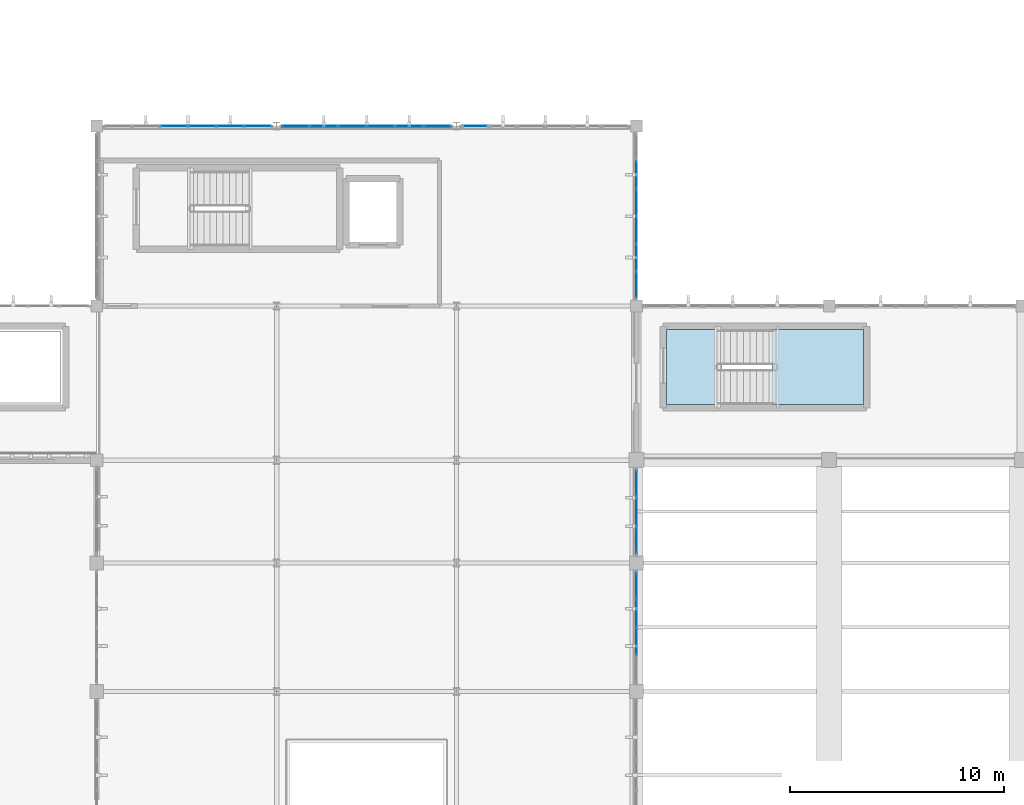
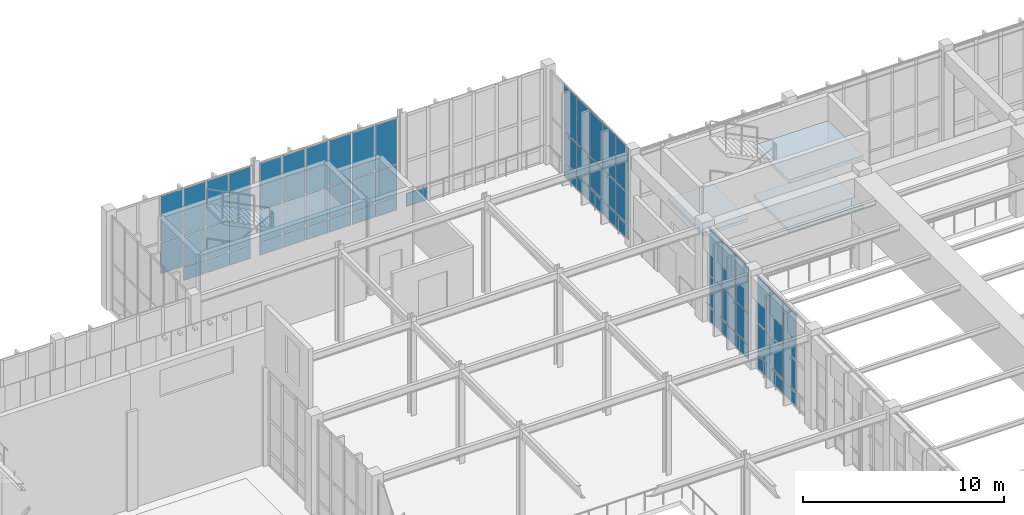
# One storey, part 62 of 105: 63 plates, 3 slabs, 7 elements without a shape of their own.
"""IFC4 building model written with IfcOpenShell, lengths in metres."""

from ifc_helpers import new_model, si_unit, direction, frame, origin, origin_2d, place, context, subcontext, project, spatial, polyline, rectangle, outline, extrude, material, layer, layer_set, type_object, element, aggregate, save


model = new_model("IFC4")

# Units and contexts
model_context = context("Model", 3, precision=1e-05, world=origin(), true_north=direction((0.0, 1.0)))
body_context = subcontext(model_context, "Body", "Model", "MODEL_VIEW")
ifc_project = project(units=[si_unit("LENGTHUNIT", "METRE"), si_unit("AREAUNIT", "SQUARE_METRE"), si_unit("VOLUMEUNIT", "CUBIC_METRE"), si_unit("PLANEANGLEUNIT", "RADIAN"), si_unit("MASSUNIT", "GRAM", prefix="KILO")], contexts=[model_context])

# Site, building, storey
site_placement = place(None, origin())
site = spatial("IfcSite", under=ifc_project, at=site_placement, CompositionType="ELEMENT")
building_placement = place(site_placement, origin())
building = spatial("IfcBuilding", under=site, at=building_placement, Name="Tizgana Railside Sports Hall", CompositionType="ELEMENT")
storey_placement = place(building_placement, frame((0.0, 0.0, 6.0)))
storey = spatial("IfcBuildingStorey", under=building, at=storey_placement, Name="L01", CompositionType="ELEMENT", Elevation=6.0)

# Curtain wall, plates
ifc_material_1 = material(Name="Anodised aluminium and glass", Category="aluminium")
curtain_wall_type_1 = type_object("IfcCurtainWallType", Name="Unitised Curtain Wall Passage 1800", PredefinedType="NOTDEFINED", material=ifc_material_1)
curtain_wall_1_placement = place(storey_placement, origin())
curtain_wall_1 = element("IfcCurtainWall", 1, at=curtain_wall_1_placement, inside=storey, type_object=curtain_wall_type_1, Name="L01 Curtain Wall CW-0037", PredefinedType="NOTDEFINED")
ifc_material_2 = material(Name="Double low-E laminated glass", Category="glass")
ifc_layer_1 = layer(ifc_material_2, 0.033935546875, Name="Double low-E laminated glass")
ifc_layer_set_1 = layer_set([ifc_layer_1], Name="Double low-E laminated glass")
plate_type_1 = type_object("IfcPlateType", Name="Acoustic Laminated Glazing Panel 34", PredefinedType="CURTAIN_PANEL", material=ifc_layer_set_1)
plate_1_placement = place(storey_placement, frame((63.8857421875, 88.800048828125, 0.06005859375), z_axis=(0.0, 0.0, 1.0), x_axis=(1.0, 0.0, 0.0)))
plate_1 = element("IfcPlate", 2, at=plate_1_placement, type_object=plate_type_1, Name="CW-06 panel 1.1", PredefinedType="CURTAIN_PANEL", context=body_context, shape_type="SweptSolid", body=[
    extrude(rectangle(XDim=1.24169921875, YDim=0.033935546875, at=origin_2d()), origin(), (0.0, 0.0, 1.0), 0.81005859375),
])
plate_2_placement = place(storey_placement, frame((63.8857421875, 88.800048828125, 0.93017578125), z_axis=(0.0, 0.0, 1.0), x_axis=(1.0, 0.0, 0.0)))
plate_2 = element("IfcPlate", 3, at=plate_2_placement, type_object=plate_type_1, Name="CW-06 panel 1.2", PredefinedType="CURTAIN_PANEL", context=body_context, shape_type="SweptSolid", body=[
    extrude(rectangle(XDim=1.24169921875, YDim=0.033935546875, at=origin_2d()), origin(), (0.0, 0.0, 1.0), 1.885009765625),
])
plate_3_placement = place(storey_placement, frame((63.8857421875, 88.800048828125, 2.875), z_axis=(0.0, 0.0, 1.0), x_axis=(1.0, 0.0, 0.0)))
plate_3 = element("IfcPlate", 4, at=plate_3_placement, type_object=plate_type_1, Name="CW-06 panel 1.3", PredefinedType="CURTAIN_PANEL", context=body_context, shape_type="SweptSolid", body=[
    extrude(rectangle(XDim=1.24169921875, YDim=0.033935546875, at=origin_2d()), origin(), (0.0, 0.0, 1.0), 2.7548828125),
])
plate_4_placement = place(storey_placement, frame((65.202392578125, 88.800048828125, 0.06005859375), z_axis=(0.0, 0.0, 1.0), x_axis=(1.0, 0.0, 0.0)))
plate_4 = element("IfcPlate", 5, at=plate_4_placement, type_object=plate_type_1, Name="CW-06 panel 2.1", PredefinedType="CURTAIN_PANEL", context=body_context, shape_type="SweptSolid", body=[
    extrude(rectangle(XDim=1.271728515625, YDim=0.033935546875, at=origin_2d()), origin(), (0.0, 0.0, 1.0), 0.81005859375),
])
plate_5_placement = place(storey_placement, frame((65.202392578125, 88.800048828125, 0.93017578125), z_axis=(0.0, 0.0, 1.0), x_axis=(1.0, 0.0, 0.0)))
plate_5 = element("IfcPlate", 6, at=plate_5_placement, type_object=plate_type_1, Name="CW-06 panel 2.2", PredefinedType="CURTAIN_PANEL", context=body_context, shape_type="SweptSolid", body=[
    extrude(rectangle(XDim=1.271728515625, YDim=0.033935546875, at=origin_2d()), origin(), (0.0, 0.0, 1.0), 1.885009765625),
])
plate_6_placement = place(storey_placement, frame((65.202392578125, 88.800048828125, 2.875), z_axis=(0.0, 0.0, 1.0), x_axis=(1.0, 0.0, 0.0)))
plate_6 = element("IfcPlate", 7, at=plate_6_placement, type_object=plate_type_1, Name="CW-06 panel 2.3", PredefinedType="CURTAIN_PANEL", context=body_context, shape_type="SweptSolid", body=[
    extrude(rectangle(XDim=1.271728515625, YDim=0.033935546875, at=origin_2d()), origin(), (0.0, 0.0, 1.0), 2.7548828125),
])
plate_7_placement = place(storey_placement, frame((66.5341796875, 88.800048828125, 0.06005859375), z_axis=(0.0, 0.0, 1.0), x_axis=(1.0, 0.0, 0.0)))
plate_7 = element("IfcPlate", 8, at=plate_7_placement, type_object=plate_type_1, Name="CW-06 panel 3.1", PredefinedType="CURTAIN_PANEL", context=body_context, shape_type="SweptSolid", body=[
    extrude(rectangle(XDim=1.271728515625, YDim=0.033935546875, at=origin_2d()), origin(), (0.0, 0.0, 1.0), 0.81005859375),
])
plate_8_placement = place(storey_placement, frame((66.5341796875, 88.800048828125, 0.93017578125), z_axis=(0.0, 0.0, 1.0), x_axis=(1.0, 0.0, 0.0)))
plate_8 = element("IfcPlate", 9, at=plate_8_placement, type_object=plate_type_1, Name="CW-06 panel 3.2", PredefinedType="CURTAIN_PANEL", context=body_context, shape_type="SweptSolid", body=[
    extrude(rectangle(XDim=1.271728515625, YDim=0.033935546875, at=origin_2d()), origin(), (0.0, 0.0, 1.0), 1.885009765625),
])
plate_9_placement = place(storey_placement, frame((66.5341796875, 88.800048828125, 2.875), z_axis=(0.0, 0.0, 1.0), x_axis=(1.0, 0.0, 0.0)))
plate_9 = element("IfcPlate", 10, at=plate_9_placement, type_object=plate_type_1, Name="CW-06 panel 3.3", PredefinedType="CURTAIN_PANEL", context=body_context, shape_type="SweptSolid", body=[
    extrude(rectangle(XDim=1.271728515625, YDim=0.033935546875, at=origin_2d()), origin(), (0.0, 0.0, 1.0), 2.7548828125),
])
plate_10_placement = place(storey_placement, frame((67.86572265625, 88.800048828125, 0.06005859375), z_axis=(0.0, 0.0, 1.0), x_axis=(1.0, 0.0, 0.0)))
plate_10 = element("IfcPlate", 11, at=plate_10_placement, type_object=plate_type_1, Name="CW-06 panel 4.1", PredefinedType="CURTAIN_PANEL", context=body_context, shape_type="SweptSolid", body=[
    extrude(rectangle(XDim=1.271728515625, YDim=0.033935546875, at=origin_2d()), origin(), (0.0, 0.0, 1.0), 0.81005859375),
])
plate_11_placement = place(storey_placement, frame((67.86572265625, 88.800048828125, 0.93017578125), z_axis=(0.0, 0.0, 1.0), x_axis=(1.0, 0.0, 0.0)))
plate_11 = element("IfcPlate", 12, at=plate_11_placement, type_object=plate_type_1, Name="CW-06 panel 4.2", PredefinedType="CURTAIN_PANEL", context=body_context, shape_type="SweptSolid", body=[
    extrude(rectangle(XDim=1.271728515625, YDim=0.033935546875, at=origin_2d()), origin(), (0.0, 0.0, 1.0), 1.885009765625),
])
plate_12_placement = place(storey_placement, frame((67.86572265625, 88.800048828125, 2.875), z_axis=(0.0, 0.0, 1.0), x_axis=(1.0, 0.0, 0.0)))
plate_12 = element("IfcPlate", 13, at=plate_12_placement, type_object=plate_type_1, Name="CW-06 panel 4.3", PredefinedType="CURTAIN_PANEL", context=body_context, shape_type="SweptSolid", body=[
    extrude(rectangle(XDim=1.271728515625, YDim=0.033935546875, at=origin_2d()), origin(), (0.0, 0.0, 1.0), 2.7548828125),
])
plate_13_placement = place(storey_placement, frame((69.197509765625, 88.800048828125, 0.06005859375), z_axis=(0.0, 0.0, 1.0), x_axis=(1.0, 0.0, 0.0)))
plate_13 = element("IfcPlate", 14, at=plate_13_placement, type_object=plate_type_1, Name="CW-06 panel 5.1", PredefinedType="CURTAIN_PANEL", context=body_context, shape_type="SweptSolid", body=[
    extrude(rectangle(XDim=1.271728515625, YDim=0.033935546875, at=origin_2d()), origin(), (0.0, 0.0, 1.0), 0.81005859375),
])
plate_14_placement = place(storey_placement, frame((69.197509765625, 88.800048828125, 0.93017578125), z_axis=(0.0, 0.0, 1.0), x_axis=(1.0, 0.0, 0.0)))
plate_14 = element("IfcPlate", 15, at=plate_14_placement, type_object=plate_type_1, Name="CW-06 panel 5.2", PredefinedType="CURTAIN_PANEL", context=body_context, shape_type="SweptSolid", body=[
    extrude(rectangle(XDim=1.271728515625, YDim=0.033935546875, at=origin_2d()), origin(), (0.0, 0.0, 1.0), 1.885009765625),
])
plate_15_placement = place(storey_placement, frame((69.197509765625, 88.800048828125, 2.875), z_axis=(0.0, 0.0, 1.0), x_axis=(1.0, 0.0, 0.0)))
plate_15 = element("IfcPlate", 16, at=plate_15_placement, type_object=plate_type_1, Name="CW-06 panel 5.3", PredefinedType="CURTAIN_PANEL", context=body_context, shape_type="SweptSolid", body=[
    extrude(rectangle(XDim=1.271728515625, YDim=0.033935546875, at=origin_2d()), origin(), (0.0, 0.0, 1.0), 2.7548828125),
])
plate_16_placement = place(storey_placement, frame((70.51416015625, 88.800048828125, 0.06005859375), z_axis=(0.0, 0.0, 1.0), x_axis=(1.0, 0.0, 0.0)))
plate_16 = element("IfcPlate", 17, at=plate_16_placement, type_object=plate_type_1, Name="CW-06 panel 6.1", PredefinedType="CURTAIN_PANEL", context=body_context, shape_type="SweptSolid", body=[
    extrude(rectangle(XDim=1.24169921875, YDim=0.033935546875, at=origin_2d()), origin(), (0.0, 0.0, 1.0), 0.81005859375),
])
plate_17_placement = place(storey_placement, frame((70.51416015625, 88.800048828125, 0.93017578125), z_axis=(0.0, 0.0, 1.0), x_axis=(1.0, 0.0, 0.0)))
plate_17 = element("IfcPlate", 18, at=plate_17_placement, type_object=plate_type_1, Name="CW-06 panel 6.2", PredefinedType="CURTAIN_PANEL", context=body_context, shape_type="SweptSolid", body=[
    extrude(rectangle(XDim=1.24169921875, YDim=0.033935546875, at=origin_2d()), origin(), (0.0, 0.0, 1.0), 1.885009765625),
])
plate_18_placement = place(storey_placement, frame((70.51416015625, 88.800048828125, 2.875), z_axis=(0.0, 0.0, 1.0), x_axis=(1.0, 0.0, 0.0)))
plate_18 = element("IfcPlate", 19, at=plate_18_placement, type_object=plate_type_1, Name="CW-06 panel 6.3", PredefinedType="CURTAIN_PANEL", context=body_context, shape_type="SweptSolid", body=[
    extrude(rectangle(XDim=1.24169921875, YDim=0.033935546875, at=origin_2d()), origin(), (0.0, 0.0, 1.0), 2.7548828125),
])
aggregate(curtain_wall_1, [plate_1, plate_2, plate_3, plate_4, plate_5, plate_6, plate_7, plate_8, plate_9, plate_10, plate_11, plate_12, plate_13, plate_14, plate_15, plate_16, plate_17, plate_18])

curtain_wall_2_placement = place(storey_placement, origin())
curtain_wall_2 = element("IfcCurtainWall", 20, at=curtain_wall_2_placement, inside=storey, type_object=curtain_wall_type_1, Name="L01 Curtain Wall CW-0165", PredefinedType="NOTDEFINED")
plate_19_placement = place(storey_placement, frame((79.800048828125, 64.7451171875, 0.06494140625), z_axis=(0.0, 0.0, 1.0), x_axis=(0.0, 1.0, 0.0)))
plate_19 = element("IfcPlate", 21, at=plate_19_placement, type_object=plate_type_1, Name="CW-06 panel 2.1", PredefinedType="CURTAIN_PANEL", context=body_context, shape_type="SweptSolid", body=[
    extrude(rectangle(XDim=1.2451171875, YDim=0.033935546875, at=origin_2d()), origin(), (0.0, 0.0, 1.0), 0.802490234375),
])
plate_20_placement = place(storey_placement, frame((79.800048828125, 64.7451171875, 0.9326171875), z_axis=(0.0, 0.0, 1.0), x_axis=(0.0, 1.0, 0.0)))
plate_20 = element("IfcPlate", 22, at=plate_20_placement, type_object=plate_type_1, Name="CW-06 panel 2.2", PredefinedType="CURTAIN_PANEL", context=body_context, shape_type="SweptSolid", body=[
    extrude(rectangle(XDim=1.2451171875, YDim=0.033935546875, at=origin_2d()), origin(), (0.0, 0.0, 1.0), 1.8798828125),
])
plate_21_placement = place(storey_placement, frame((79.800048828125, 64.7451171875, 2.87744140625), z_axis=(0.0, 0.0, 1.0), x_axis=(0.0, 1.0, 0.0)))
plate_21 = element("IfcPlate", 23, at=plate_21_placement, type_object=plate_type_1, Name="CW-06 panel 2.3", PredefinedType="CURTAIN_PANEL", context=body_context, shape_type="SweptSolid", body=[
    extrude(rectangle(XDim=1.2451171875, YDim=0.033935546875, at=origin_2d()), origin(), (0.0, 0.0, 1.0), 2.74755859375),
])
plate_22_placement = place(storey_placement, frame((79.800048828125, 66.054931640625, 0.06494140625), z_axis=(0.0, 0.0, 1.0), x_axis=(0.0, 1.0, 0.0)))
plate_22 = element("IfcPlate", 24, at=plate_22_placement, type_object=plate_type_1, Name="CW-06 panel 3.1", PredefinedType="CURTAIN_PANEL", context=body_context, shape_type="SweptSolid", body=[
    extrude(rectangle(XDim=1.2451171875, YDim=0.033935546875, at=origin_2d()), origin(), (0.0, 0.0, 1.0), 0.802490234375),
])
plate_23_placement = place(storey_placement, frame((79.800048828125, 66.054931640625, 0.9326171875), z_axis=(0.0, 0.0, 1.0), x_axis=(0.0, 1.0, 0.0)))
plate_23 = element("IfcPlate", 25, at=plate_23_placement, type_object=plate_type_1, Name="CW-06 panel 3.2", PredefinedType="CURTAIN_PANEL", context=body_context, shape_type="SweptSolid", body=[
    extrude(rectangle(XDim=1.2451171875, YDim=0.033935546875, at=origin_2d()), origin(), (0.0, 0.0, 1.0), 1.8798828125),
])
plate_24_placement = place(storey_placement, frame((79.800048828125, 66.054931640625, 2.87744140625), z_axis=(0.0, 0.0, 1.0), x_axis=(0.0, 1.0, 0.0)))
plate_24 = element("IfcPlate", 26, at=plate_24_placement, type_object=plate_type_1, Name="CW-06 panel 3.3", PredefinedType="CURTAIN_PANEL", context=body_context, shape_type="SweptSolid", body=[
    extrude(rectangle(XDim=1.2451171875, YDim=0.033935546875, at=origin_2d()), origin(), (0.0, 0.0, 1.0), 2.74755859375),
])
plate_25_placement = place(storey_placement, frame((79.800048828125, 67.3486328125, 0.06494140625), z_axis=(0.0, 0.0, 1.0), x_axis=(0.0, 1.0, 0.0)))
plate_25 = element("IfcPlate", 27, at=plate_25_placement, type_object=plate_type_1, Name="CW-06 panel 4.1", PredefinedType="CURTAIN_PANEL", context=body_context, shape_type="SweptSolid", body=[
    extrude(rectangle(XDim=1.21240234375, YDim=0.033935546875, at=origin_2d()), origin(), (0.0, 0.0, 1.0), 0.802490234375),
])
plate_26_placement = place(storey_placement, frame((79.800048828125, 67.3486328125, 0.9326171875), z_axis=(0.0, 0.0, 1.0), x_axis=(0.0, 1.0, 0.0)))
plate_26 = element("IfcPlate", 28, at=plate_26_placement, type_object=plate_type_1, Name="CW-06 panel 4.2", PredefinedType="CURTAIN_PANEL", context=body_context, shape_type="SweptSolid", body=[
    extrude(rectangle(XDim=1.21240234375, YDim=0.033935546875, at=origin_2d()), origin(), (0.0, 0.0, 1.0), 1.8798828125),
])
plate_27_placement = place(storey_placement, frame((79.800048828125, 67.3486328125, 2.87744140625), z_axis=(0.0, 0.0, 1.0), x_axis=(0.0, 1.0, 0.0)))
plate_27 = element("IfcPlate", 29, at=plate_27_placement, type_object=plate_type_1, Name="CW-06 panel 4.3", PredefinedType="CURTAIN_PANEL", context=body_context, shape_type="SweptSolid", body=[
    extrude(rectangle(XDim=1.21240234375, YDim=0.033935546875, at=origin_2d()), origin(), (0.0, 0.0, 1.0), 2.74755859375),
])
aggregate(curtain_wall_2, [plate_19, plate_20, plate_21, plate_22, plate_23, plate_24, plate_25, plate_26, plate_27])

curtain_wall_type_2 = type_object("IfcCurtainWallType", Name="Unitised Curtain Wall Foyer 1300", PredefinedType="NOTDEFINED", material=ifc_material_1)
curtain_wall_3_placement = place(storey_placement, origin())
curtain_wall_3 = element("IfcCurtainWall", 30, at=curtain_wall_3_placement, inside=storey, type_object=curtain_wall_type_2, Name="L01 Curtain Wall CW-0169", PredefinedType="NOTDEFINED")
plate_28_placement = place(storey_placement, frame((79.800048828125, 81.389892578125, 0.06005859375), z_axis=(0.0, 0.0, 1.0), x_axis=(0.0, 1.0, 0.0)))
plate_28 = element("IfcPlate", 31, at=plate_28_placement, type_object=plate_type_1, Name="CW-02 panel 1.1", PredefinedType="CURTAIN_PANEL", context=body_context, shape_type="SweptSolid", body=[
    extrude(rectangle(XDim=1.199951171875, YDim=0.033935546875, at=origin_2d()), origin(), (0.0, 0.0, 1.0), 0.81005859375),
])
plate_29_placement = place(storey_placement, frame((79.800048828125, 81.389892578125, 0.93017578125), z_axis=(0.0, 0.0, 1.0), x_axis=(0.0, 1.0, 0.0)))
plate_29 = element("IfcPlate", 32, at=plate_29_placement, type_object=plate_type_1, Name="CW-02 panel 1.2", PredefinedType="CURTAIN_PANEL", context=body_context, shape_type="SweptSolid", body=[
    extrude(rectangle(XDim=1.199951171875, YDim=0.033935546875, at=origin_2d()), origin(), (0.0, 0.0, 1.0), 1.885009765625),
])
plate_30_placement = place(storey_placement, frame((79.800048828125, 81.389892578125, 2.875), z_axis=(0.0, 0.0, 1.0), x_axis=(0.0, 1.0, 0.0)))
plate_30 = element("IfcPlate", 33, at=plate_30_placement, type_object=plate_type_1, Name="CW-02 panel 1.3", PredefinedType="CURTAIN_PANEL", context=body_context, shape_type="SweptSolid", body=[
    extrude(rectangle(XDim=1.199951171875, YDim=0.033935546875, at=origin_2d()), origin(), (0.0, 0.0, 1.0), 2.7548828125),
])
plate_31_placement = place(storey_placement, frame((79.800048828125, 82.6650390625, 0.06005859375), z_axis=(0.0, 0.0, 1.0), x_axis=(0.0, 1.0, 0.0)))
plate_31 = element("IfcPlate", 34, at=plate_31_placement, type_object=plate_type_1, Name="CW-02 panel 2.1", PredefinedType="CURTAIN_PANEL", context=body_context, shape_type="SweptSolid", body=[
    extrude(rectangle(XDim=1.22998046875, YDim=0.033935546875, at=origin_2d()), origin(), (0.0, 0.0, 1.0), 0.81005859375),
])
plate_32_placement = place(storey_placement, frame((79.800048828125, 82.6650390625, 0.93017578125), z_axis=(0.0, 0.0, 1.0), x_axis=(0.0, 1.0, 0.0)))
plate_32 = element("IfcPlate", 35, at=plate_32_placement, type_object=plate_type_1, Name="CW-02 panel 2.2", PredefinedType="CURTAIN_PANEL", context=body_context, shape_type="SweptSolid", body=[
    extrude(rectangle(XDim=1.22998046875, YDim=0.033935546875, at=origin_2d()), origin(), (0.0, 0.0, 1.0), 1.885009765625),
])
plate_33_placement = place(storey_placement, frame((79.800048828125, 82.6650390625, 2.875), z_axis=(0.0, 0.0, 1.0), x_axis=(0.0, 1.0, 0.0)))
plate_33 = element("IfcPlate", 36, at=plate_33_placement, type_object=plate_type_1, Name="CW-02 panel 2.3", PredefinedType="CURTAIN_PANEL", context=body_context, shape_type="SweptSolid", body=[
    extrude(rectangle(XDim=1.22998046875, YDim=0.033935546875, at=origin_2d()), origin(), (0.0, 0.0, 1.0), 2.7548828125),
])
plate_34_placement = place(storey_placement, frame((79.800048828125, 83.955078125, 0.06005859375), z_axis=(0.0, 0.0, 1.0), x_axis=(0.0, 1.0, 0.0)))
plate_34 = element("IfcPlate", 37, at=plate_34_placement, type_object=plate_type_1, Name="CW-02 panel 3.1", PredefinedType="CURTAIN_PANEL", context=body_context, shape_type="SweptSolid", body=[
    extrude(rectangle(XDim=1.22998046875, YDim=0.033935546875, at=origin_2d()), origin(), (0.0, 0.0, 1.0), 0.81005859375),
])
plate_35_placement = place(storey_placement, frame((79.800048828125, 83.955078125, 0.93017578125), z_axis=(0.0, 0.0, 1.0), x_axis=(0.0, 1.0, 0.0)))
plate_35 = element("IfcPlate", 38, at=plate_35_placement, type_object=plate_type_1, Name="CW-02 panel 3.2", PredefinedType="CURTAIN_PANEL", context=body_context, shape_type="SweptSolid", body=[
    extrude(rectangle(XDim=1.22998046875, YDim=0.033935546875, at=origin_2d()), origin(), (0.0, 0.0, 1.0), 1.885009765625),
])
plate_36_placement = place(storey_placement, frame((79.800048828125, 83.955078125, 2.875), z_axis=(0.0, 0.0, 1.0), x_axis=(0.0, 1.0, 0.0)))
plate_36 = element("IfcPlate", 39, at=plate_36_placement, type_object=plate_type_1, Name="CW-02 panel 3.3", PredefinedType="CURTAIN_PANEL", context=body_context, shape_type="SweptSolid", body=[
    extrude(rectangle(XDim=1.22998046875, YDim=0.033935546875, at=origin_2d()), origin(), (0.0, 0.0, 1.0), 2.7548828125),
])
plate_37_placement = place(storey_placement, frame((79.800048828125, 85.2451171875, 0.06005859375), z_axis=(0.0, 0.0, 1.0), x_axis=(0.0, 1.0, 0.0)))
plate_37 = element("IfcPlate", 40, at=plate_37_placement, type_object=plate_type_1, Name="CW-02 panel 4.1", PredefinedType="CURTAIN_PANEL", context=body_context, shape_type="SweptSolid", body=[
    extrude(rectangle(XDim=1.22998046875, YDim=0.033935546875, at=origin_2d()), origin(), (0.0, 0.0, 1.0), 0.81005859375),
])
plate_38_placement = place(storey_placement, frame((79.800048828125, 85.2451171875, 0.93017578125), z_axis=(0.0, 0.0, 1.0), x_axis=(0.0, 1.0, 0.0)))
plate_38 = element("IfcPlate", 41, at=plate_38_placement, type_object=plate_type_1, Name="CW-02 panel 4.2", PredefinedType="CURTAIN_PANEL", context=body_context, shape_type="SweptSolid", body=[
    extrude(rectangle(XDim=1.22998046875, YDim=0.033935546875, at=origin_2d()), origin(), (0.0, 0.0, 1.0), 1.885009765625),
])
plate_39_placement = place(storey_placement, frame((79.800048828125, 85.2451171875, 2.875), z_axis=(0.0, 0.0, 1.0), x_axis=(0.0, 1.0, 0.0)))
plate_39 = element("IfcPlate", 42, at=plate_39_placement, type_object=plate_type_1, Name="CW-02 panel 4.3", PredefinedType="CURTAIN_PANEL", context=body_context, shape_type="SweptSolid", body=[
    extrude(rectangle(XDim=1.22998046875, YDim=0.033935546875, at=origin_2d()), origin(), (0.0, 0.0, 1.0), 2.7548828125),
])
plate_40_placement = place(storey_placement, frame((79.800048828125, 86.534912109375, 0.06005859375), z_axis=(0.0, 0.0, 1.0), x_axis=(0.0, 1.0, 0.0)))
plate_40 = element("IfcPlate", 43, at=plate_40_placement, type_object=plate_type_1, Name="CW-02 panel 5.1", PredefinedType="CURTAIN_PANEL", context=body_context, shape_type="SweptSolid", body=[
    extrude(rectangle(XDim=1.22998046875, YDim=0.033935546875, at=origin_2d()), origin(), (0.0, 0.0, 1.0), 0.81005859375),
])
plate_41_placement = place(storey_placement, frame((79.800048828125, 86.534912109375, 0.93017578125), z_axis=(0.0, 0.0, 1.0), x_axis=(0.0, 1.0, 0.0)))
plate_41 = element("IfcPlate", 44, at=plate_41_placement, type_object=plate_type_1, Name="CW-02 panel 5.2", PredefinedType="CURTAIN_PANEL", context=body_context, shape_type="SweptSolid", body=[
    extrude(rectangle(XDim=1.22998046875, YDim=0.033935546875, at=origin_2d()), origin(), (0.0, 0.0, 1.0), 1.885009765625),
])
plate_42_placement = place(storey_placement, frame((79.800048828125, 86.534912109375, 2.875), z_axis=(0.0, 0.0, 1.0), x_axis=(0.0, 1.0, 0.0)))
plate_42 = element("IfcPlate", 45, at=plate_42_placement, type_object=plate_type_1, Name="CW-02 panel 5.3", PredefinedType="CURTAIN_PANEL", context=body_context, shape_type="SweptSolid", body=[
    extrude(rectangle(XDim=1.22998046875, YDim=0.033935546875, at=origin_2d()), origin(), (0.0, 0.0, 1.0), 2.7548828125),
])
aggregate(curtain_wall_3, [plate_28, plate_29, plate_30, plate_31, plate_32, plate_33, plate_34, plate_35, plate_36, plate_37, plate_38, plate_39, plate_40, plate_41, plate_42])

# Stair, slabs
ifc_material_3 = material(Name="Concrete C35/45", Category="concrete")
stair_type = type_object("IfcStairType", Name="Concourse Feature Stair 1800", PredefinedType="HALF_TURN_STAIR", material=ifc_material_3)
stair_placement = place(storey_placement, origin())
stair = element("IfcStair", 46, at=stair_placement, inside=storey, type_object=stair_type, Name="L01 Core Stair ST-08", PredefinedType="HALF_TURN_STAIR")
ifc_layer_2 = layer(ifc_material_3, 0.199951171875, Name="Concrete C35/45")
ifc_layer_set_2 = layer_set([ifc_layer_2], Name="Concrete C35/45")
slab_type = type_object("IfcSlabType", Name="Core Stair Landing Slab 200", PredefinedType="LANDING", material=ifc_layer_set_2)
slab_1_placement = place(storey_placement, frame((0.0, 0.0, 1.300048828125)))
slab_1 = element("IfcSlab", 47, at=slab_1_placement, type_object=slab_type, Name="ST-08 landing 1", PredefinedType="LANDING", context=body_context, shape_type="SweptSolid", body=[
    extrude(outline(polyline([(86.1201171875, 75.800048828125), (90.39990234375, 75.800048828125), (90.39990234375, 79.300048828125), (86.1201171875, 79.300048828125), (86.1201171875, 75.800048828125)])), origin(), (0.0, 0.0, 1.0), 0.199951171875),
])
slab_2_placement = place(storey_placement, frame((0.0, 0.0, 2.800048828125)))
slab_2 = element("IfcSlab", 48, at=slab_2_placement, type_object=slab_type, Name="ST-08 landing 2", PredefinedType="LANDING", context=body_context, shape_type="SweptSolid", body=[
    extrude(outline(polyline([(81.199951171875, 75.800048828125), (83.780029296875, 75.800048828125), (83.780029296875, 79.300048828125), (81.199951171875, 79.300048828125), (81.199951171875, 75.800048828125)])), origin(), (0.0, 0.0, 1.0), 0.199951171875),
])
slab_3_placement = place(storey_placement, frame((0.0, 0.0, 4.300048828125)))
slab_3 = element("IfcSlab", 49, at=slab_3_placement, type_object=slab_type, Name="ST-08 landing 3", PredefinedType="LANDING", context=body_context, shape_type="SweptSolid", body=[
    extrude(outline(polyline([(86.1201171875, 75.800048828125), (90.39990234375, 75.800048828125), (90.39990234375, 79.300048828125), (86.1201171875, 79.300048828125), (86.1201171875, 75.800048828125)])), origin(), (0.0, 0.0, 1.0), 0.199951171875),
])
aggregate(stair, [slab_1, slab_2, slab_3])

# Curtain wall, plate
curtain_wall_type_3 = type_object("IfcCurtainWallType", Name="Unitised Curtain Wall EastHall 1500", PredefinedType="NOTDEFINED", material=ifc_material_1)
curtain_wall_4_placement = place(storey_placement, origin())
curtain_wall_4 = element("IfcCurtainWall", 50, at=curtain_wall_4_placement, inside=storey, type_object=curtain_wall_type_3, Name="L01 Curtain Wall CW-0039", PredefinedType="NOTDEFINED")
ifc_layer_3 = layer(ifc_material_2, 0.031982421875, Name="Double low-E laminated glass")
ifc_layer_set_3 = layer_set([ifc_layer_3], Name="Double low-E laminated glass")
plate_type_2 = type_object("IfcPlateType", Name="North-Light Clerestory Glazing Panel 32", PredefinedType="CURTAIN_PANEL", material=ifc_layer_set_3)
plate_43_placement = place(storey_placement, frame((72.276611328125, 88.800048828125, 0.06494140625), z_axis=(0.0, 0.0, 1.0), x_axis=(1.0, 0.0, 0.0)))
plate_43 = element("IfcPlate", 51, at=plate_43_placement, type_object=plate_type_2, Name="CW-08 panel 1.1", PredefinedType="CURTAIN_PANEL", context=body_context, shape_type="SweptSolid", body=[
    extrude(rectangle(XDim=1.21337890625, YDim=0.031982421875, at=origin_2d()), origin(), (0.0, 0.0, 1.0), 0.802490234375),
])
aggregate(curtain_wall_4, [plate_43])

# Curtain wall, plates
curtain_wall_5_placement = place(storey_placement, origin())
curtain_wall_5 = element("IfcCurtainWall", 52, at=curtain_wall_5_placement, inside=storey, type_object=curtain_wall_type_3, Name="L01 Curtain Wall CW-0167", PredefinedType="NOTDEFINED")
plate_44_placement = place(storey_placement, frame((79.800048828125, 69.468017578125, 0.05517578125), z_axis=(0.0, 0.0, 1.0), x_axis=(0.0, 1.0, 0.0)))
plate_44 = element("IfcPlate", 53, at=plate_44_placement, type_object=plate_type_2, Name="CW-08 panel 1.1", PredefinedType="CURTAIN_PANEL", context=body_context, shape_type="SweptSolid", body=[
    extrude(rectangle(XDim=1.225830078125, YDim=0.031982421875, at=origin_2d()), origin(), (0.0, 0.0, 1.0), 0.8173828125),
])
plate_45_placement = place(storey_placement, frame((79.800048828125, 69.468017578125, 0.927734375), z_axis=(0.0, 0.0, 1.0), x_axis=(0.0, 1.0, 0.0)))
plate_45 = element("IfcPlate", 54, at=plate_45_placement, type_object=plate_type_2, Name="CW-08 panel 1.2", PredefinedType="CURTAIN_PANEL", context=body_context, shape_type="SweptSolid", body=[
    extrude(rectangle(XDim=1.225830078125, YDim=0.031982421875, at=origin_2d()), origin(), (0.0, 0.0, 1.0), 1.889892578125),
])
plate_46_placement = place(storey_placement, frame((79.800048828125, 69.468017578125, 2.87255859375), z_axis=(0.0, 0.0, 1.0), x_axis=(0.0, 1.0, 0.0)))
plate_46 = element("IfcPlate", 55, at=plate_46_placement, type_object=plate_type_2, Name="CW-08 panel 1.3", PredefinedType="CURTAIN_PANEL", context=body_context, shape_type="SweptSolid", body=[
    extrude(rectangle(XDim=1.225830078125, YDim=0.031982421875, at=origin_2d()), origin(), (0.0, 0.0, 1.0), 2.762451171875),
])
plate_47_placement = place(storey_placement, frame((79.800048828125, 70.78759765625, 0.05517578125), z_axis=(0.0, 0.0, 1.0), x_axis=(0.0, 1.0, 0.0)))
plate_47 = element("IfcPlate", 56, at=plate_47_placement, type_object=plate_type_2, Name="CW-08 panel 2.1", PredefinedType="CURTAIN_PANEL", context=body_context, shape_type="SweptSolid", body=[
    extrude(rectangle(XDim=1.263427734375, YDim=0.031982421875, at=origin_2d()), origin(), (0.0, 0.0, 1.0), 0.8173828125),
])
plate_48_placement = place(storey_placement, frame((79.800048828125, 70.78759765625, 0.927734375), z_axis=(0.0, 0.0, 1.0), x_axis=(0.0, 1.0, 0.0)))
plate_48 = element("IfcPlate", 57, at=plate_48_placement, type_object=plate_type_2, Name="CW-08 panel 2.2", PredefinedType="CURTAIN_PANEL", context=body_context, shape_type="SweptSolid", body=[
    extrude(rectangle(XDim=1.263427734375, YDim=0.031982421875, at=origin_2d()), origin(), (0.0, 0.0, 1.0), 1.889892578125),
])
plate_49_placement = place(storey_placement, frame((79.800048828125, 70.78759765625, 2.87255859375), z_axis=(0.0, 0.0, 1.0), x_axis=(0.0, 1.0, 0.0)))
plate_49 = element("IfcPlate", 58, at=plate_49_placement, type_object=plate_type_2, Name="CW-08 panel 2.3", PredefinedType="CURTAIN_PANEL", context=body_context, shape_type="SweptSolid", body=[
    extrude(rectangle(XDim=1.263427734375, YDim=0.031982421875, at=origin_2d()), origin(), (0.0, 0.0, 1.0), 2.762451171875),
])
plate_50_placement = place(storey_placement, frame((79.800048828125, 72.107177734375, 0.05517578125), z_axis=(0.0, 0.0, 1.0), x_axis=(0.0, 1.0, 0.0)))
plate_50 = element("IfcPlate", 59, at=plate_50_placement, type_object=plate_type_2, Name="CW-08 panel 3.1", PredefinedType="CURTAIN_PANEL", context=body_context, shape_type="SweptSolid", body=[
    extrude(rectangle(XDim=1.225830078125, YDim=0.031982421875, at=origin_2d()), origin(), (0.0, 0.0, 1.0), 0.8173828125),
])
plate_51_placement = place(storey_placement, frame((79.800048828125, 72.107177734375, 0.927734375), z_axis=(0.0, 0.0, 1.0), x_axis=(0.0, 1.0, 0.0)))
plate_51 = element("IfcPlate", 60, at=plate_51_placement, type_object=plate_type_2, Name="CW-08 panel 3.2", PredefinedType="CURTAIN_PANEL", context=body_context, shape_type="SweptSolid", body=[
    extrude(rectangle(XDim=1.225830078125, YDim=0.031982421875, at=origin_2d()), origin(), (0.0, 0.0, 1.0), 1.889892578125),
])
plate_52_placement = place(storey_placement, frame((79.800048828125, 72.107177734375, 2.87255859375), z_axis=(0.0, 0.0, 1.0), x_axis=(0.0, 1.0, 0.0)))
plate_52 = element("IfcPlate", 61, at=plate_52_placement, type_object=plate_type_2, Name="CW-08 panel 3.3", PredefinedType="CURTAIN_PANEL", context=body_context, shape_type="SweptSolid", body=[
    extrude(rectangle(XDim=1.225830078125, YDim=0.031982421875, at=origin_2d()), origin(), (0.0, 0.0, 1.0), 2.762451171875),
])
aggregate(curtain_wall_5, [plate_44, plate_45, plate_46, plate_47, plate_48, plate_49, plate_50, plate_51, plate_52])

curtain_wall_type_4 = type_object("IfcCurtainWallType", Name="Unitised Curtain Wall Clinic 1200", PredefinedType="NOTDEFINED", material=ifc_material_1)
curtain_wall_6_placement = place(storey_placement, origin())
curtain_wall_6 = element("IfcCurtainWall", 62, at=curtain_wall_6_placement, inside=storey, type_object=curtain_wall_type_4, Name="L01 Curtain Wall CW-0036", PredefinedType="NOTDEFINED")
ifc_layer_4 = layer(ifc_material_2, 0.028076171875, Name="Double low-E laminated glass")
ifc_layer_set_4 = layer_set([ifc_layer_4], Name="Double low-E laminated glass")
plate_type_3 = type_object("IfcPlateType", Name="Solar Low-E Glazing Panel 28", PredefinedType="CURTAIN_PANEL", material=ifc_layer_set_4)
plate_53_placement = place(storey_placement, frame((58.20703125, 88.800048828125, 0.93017578125), z_axis=(0.0, 0.0, 1.0), x_axis=(1.0, 0.0, 0.0)))
plate_53 = element("IfcPlate", 63, at=plate_53_placement, type_object=plate_type_3, Name="CW-05 panel 3.2", PredefinedType="CURTAIN_PANEL", context=body_context, shape_type="SweptSolid", body=[
    extrude(rectangle(XDim=1.250732421875, YDim=0.028076171875, at=origin_2d()), origin(), (0.0, 0.0, 1.0), 1.885009765625),
])
plate_54_placement = place(storey_placement, frame((58.20703125, 88.800048828125, 2.875), z_axis=(0.0, 0.0, 1.0), x_axis=(1.0, 0.0, 0.0)))
plate_54 = element("IfcPlate", 64, at=plate_54_placement, type_object=plate_type_3, Name="CW-05 panel 3.3", PredefinedType="CURTAIN_PANEL", context=body_context, shape_type="SweptSolid", body=[
    extrude(rectangle(XDim=1.250732421875, YDim=0.028076171875, at=origin_2d()), origin(), (0.0, 0.0, 1.0), 2.7548828125),
])
plate_55_placement = place(storey_placement, frame((59.517822265625, 88.800048828125, 0.06005859375), z_axis=(0.0, 0.0, 1.0), x_axis=(1.0, 0.0, 0.0)))
plate_55 = element("IfcPlate", 65, at=plate_55_placement, type_object=plate_type_3, Name="CW-05 panel 4.1", PredefinedType="CURTAIN_PANEL", context=body_context, shape_type="SweptSolid", body=[
    extrude(rectangle(XDim=1.250732421875, YDim=0.028076171875, at=origin_2d()), origin(), (0.0, 0.0, 1.0), 0.81005859375),
])
plate_56_placement = place(storey_placement, frame((59.517822265625, 88.800048828125, 0.93017578125), z_axis=(0.0, 0.0, 1.0), x_axis=(1.0, 0.0, 0.0)))
plate_56 = element("IfcPlate", 66, at=plate_56_placement, type_object=plate_type_3, Name="CW-05 panel 4.2", PredefinedType="CURTAIN_PANEL", context=body_context, shape_type="SweptSolid", body=[
    extrude(rectangle(XDim=1.250732421875, YDim=0.028076171875, at=origin_2d()), origin(), (0.0, 0.0, 1.0), 1.885009765625),
])
plate_57_placement = place(storey_placement, frame((59.517822265625, 88.800048828125, 2.875), z_axis=(0.0, 0.0, 1.0), x_axis=(1.0, 0.0, 0.0)))
plate_57 = element("IfcPlate", 67, at=plate_57_placement, type_object=plate_type_3, Name="CW-05 panel 4.3", PredefinedType="CURTAIN_PANEL", context=body_context, shape_type="SweptSolid", body=[
    extrude(rectangle(XDim=1.250732421875, YDim=0.028076171875, at=origin_2d()), origin(), (0.0, 0.0, 1.0), 2.7548828125),
])
plate_58_placement = place(storey_placement, frame((60.828857421875, 88.800048828125, 0.06005859375), z_axis=(0.0, 0.0, 1.0), x_axis=(1.0, 0.0, 0.0)))
plate_58 = element("IfcPlate", 68, at=plate_58_placement, type_object=plate_type_3, Name="CW-05 panel 5.1", PredefinedType="CURTAIN_PANEL", context=body_context, shape_type="SweptSolid", body=[
    extrude(rectangle(XDim=1.250732421875, YDim=0.028076171875, at=origin_2d()), origin(), (0.0, 0.0, 1.0), 0.81005859375),
])
plate_59_placement = place(storey_placement, frame((60.828857421875, 88.800048828125, 0.93017578125), z_axis=(0.0, 0.0, 1.0), x_axis=(1.0, 0.0, 0.0)))
plate_59 = element("IfcPlate", 69, at=plate_59_placement, type_object=plate_type_3, Name="CW-05 panel 5.2", PredefinedType="CURTAIN_PANEL", context=body_context, shape_type="SweptSolid", body=[
    extrude(rectangle(XDim=1.250732421875, YDim=0.028076171875, at=origin_2d()), origin(), (0.0, 0.0, 1.0), 1.885009765625),
])
plate_60_placement = place(storey_placement, frame((60.828857421875, 88.800048828125, 2.875), z_axis=(0.0, 0.0, 1.0), x_axis=(1.0, 0.0, 0.0)))
plate_60 = element("IfcPlate", 70, at=plate_60_placement, type_object=plate_type_3, Name="CW-05 panel 5.3", PredefinedType="CURTAIN_PANEL", context=body_context, shape_type="SweptSolid", body=[
    extrude(rectangle(XDim=1.250732421875, YDim=0.028076171875, at=origin_2d()), origin(), (0.0, 0.0, 1.0), 2.7548828125),
])
plate_61_placement = place(storey_placement, frame((62.12451171875, 88.800048828125, 0.06005859375), z_axis=(0.0, 0.0, 1.0), x_axis=(1.0, 0.0, 0.0)))
plate_61 = element("IfcPlate", 71, at=plate_61_placement, type_object=plate_type_3, Name="CW-05 panel 6.1", PredefinedType="CURTAIN_PANEL", context=body_context, shape_type="SweptSolid", body=[
    extrude(rectangle(XDim=1.220947265625, YDim=0.028076171875, at=origin_2d()), origin(), (0.0, 0.0, 1.0), 0.81005859375),
])
plate_62_placement = place(storey_placement, frame((62.12451171875, 88.800048828125, 0.93017578125), z_axis=(0.0, 0.0, 1.0), x_axis=(1.0, 0.0, 0.0)))
plate_62 = element("IfcPlate", 72, at=plate_62_placement, type_object=plate_type_3, Name="CW-05 panel 6.2", PredefinedType="CURTAIN_PANEL", context=body_context, shape_type="SweptSolid", body=[
    extrude(rectangle(XDim=1.220947265625, YDim=0.028076171875, at=origin_2d()), origin(), (0.0, 0.0, 1.0), 1.885009765625),
])
plate_63_placement = place(storey_placement, frame((62.12451171875, 88.800048828125, 2.875), z_axis=(0.0, 0.0, 1.0), x_axis=(1.0, 0.0, 0.0)))
plate_63 = element("IfcPlate", 73, at=plate_63_placement, type_object=plate_type_3, Name="CW-05 panel 6.3", PredefinedType="CURTAIN_PANEL", context=body_context, shape_type="SweptSolid", body=[
    extrude(rectangle(XDim=1.220947265625, YDim=0.028076171875, at=origin_2d()), origin(), (0.0, 0.0, 1.0), 2.7548828125),
])
aggregate(curtain_wall_6, [plate_53, plate_54, plate_55, plate_56, plate_57, plate_58, plate_59, plate_60, plate_61, plate_62, plate_63])

save(model, "model.ifc")
